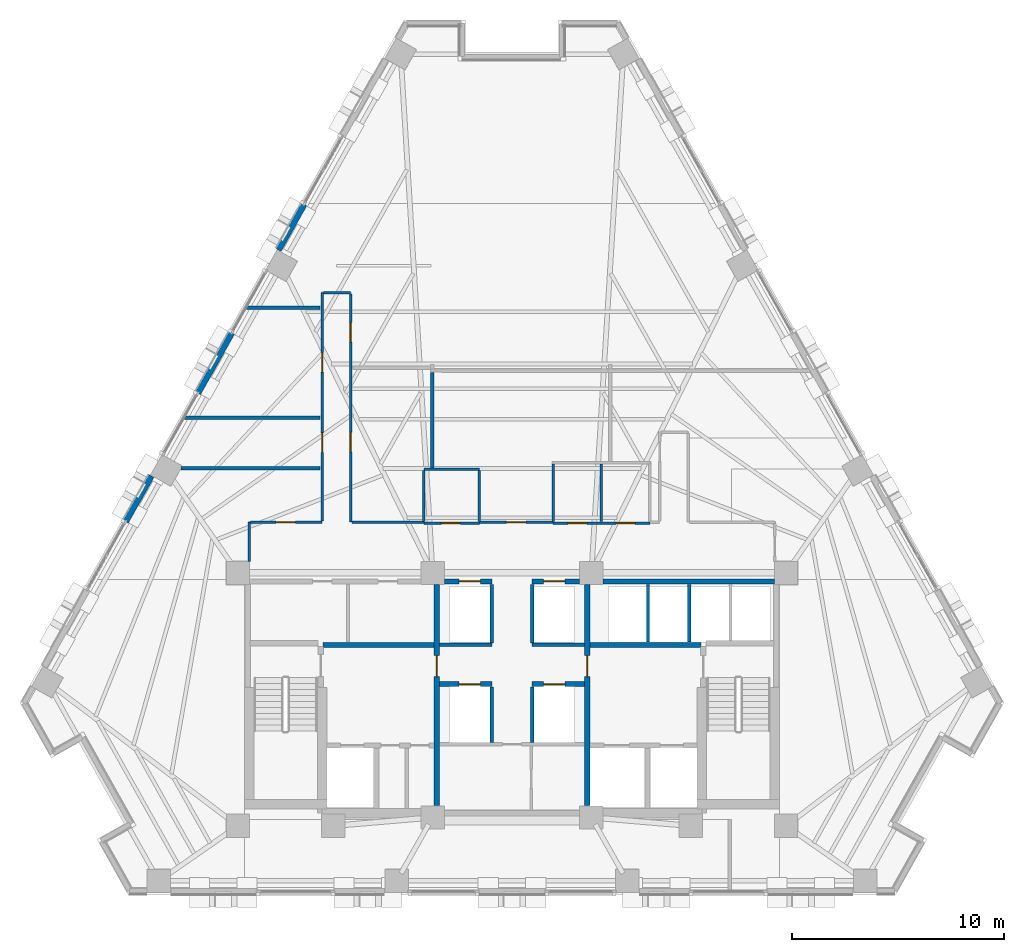
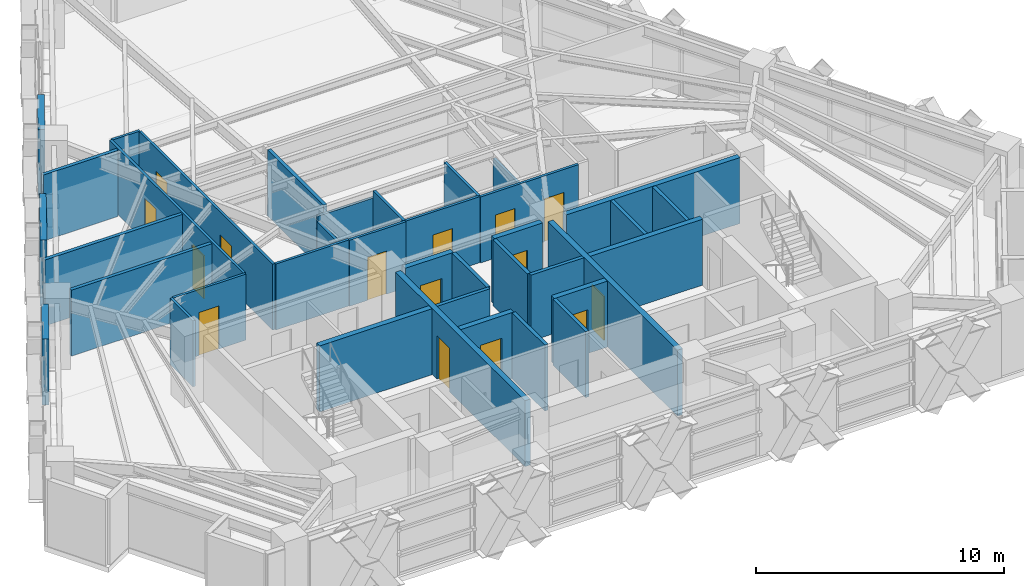
# One storey, part 8 of 14: 38 walls, 15 doors, 15 openings.
"""IFC4 building model written with IfcOpenShell, lengths in metres."""

from ifc_helpers import new_model, si_unit, direction, frame, frame_2d, origin, place, context, subcontext, project, spatial, rectangle, extrude, material, layer, layer_set, type_object, element, fill, save


model = new_model("IFC4")

# Units and contexts
model_context = context("Model", 3, precision=1e-05, world=origin(), true_north=direction((0.0, 1.0)))
body_context = subcontext(model_context, "Body", "Model", "MODEL_VIEW")
ifc_project = project(units=[si_unit("LENGTHUNIT", "METRE"), si_unit("AREAUNIT", "SQUARE_METRE"), si_unit("VOLUMEUNIT", "CUBIC_METRE"), si_unit("PLANEANGLEUNIT", "RADIAN"), si_unit("MASSUNIT", "GRAM", prefix="KILO")], contexts=[model_context])

# Site, building, storey
site_placement = place(None, origin())
site = spatial("IfcSite", under=ifc_project, at=site_placement, CompositionType="ELEMENT")
building_placement = place(site_placement, origin())
building = spatial("IfcBuilding", under=site, at=building_placement, Name="Quenlor Broadcast Tower", CompositionType="ELEMENT")
storey_placement = place(building_placement, frame((0.0, 0.0, 123.0)))
storey = spatial("IfcBuildingStorey", under=building, at=storey_placement, Name="L33", CompositionType="ELEMENT", Elevation=123.0)

# Walls
ifc_material_1 = material(Name="Concrete C40/50", Category="concrete")
ifc_layer_1 = layer(ifc_material_1, 0.25)
ifc_layer_set_1 = layer_set([ifc_layer_1], Name="Fire Rated Concrete C40/50 Core Wall 250")
wall_type_1 = type_object("IfcWallType", Name="Fire Rated Concrete C40/50 Core Wall 250", PredefinedType="PARTITIONING", material=ifc_layer_set_1)
for number, where, z_axis, x_axis, name in (
    (1, (-8.919921875, -8.199951171875, 0.0), (0.0, 0.0, 1.0), (1.0, 0.0, 0.0), "L33 Interior Wall CW-FFW-N"),
    (2, (3.679931640625, -8.199951171875, 0.0), (0.0, 0.0, 1.0), (1.0, 0.0, 0.0), "L33 Interior Wall CW-FFE-N"),
):
    element("IfcWall", number, at=place(storey_placement, frame(where, z_axis=z_axis, x_axis=x_axis)), inside=storey, type_object=wall_type_1, Name=name, PredefinedType="PARTITIONING", context=body_context, shape_type="SweptSolid", body=[
        extrude(rectangle(XDim=5.239990234375, YDim=0.25, at=frame_2d((2.6201171875, 0.0))), origin(), (0.0, 0.0, 1.0), 3.25),
    ])

# Wall, opening, door
wall_1_placement = place(storey_placement, frame((-3.550048828125, -15.798095703125, 0.0), z_axis=(0.0, 0.0, 1.0), x_axis=(0.0, 1.0, 0.0)))
wall_1 = element("IfcWall", 3, at=wall_1_placement, inside=storey, type_object=wall_type_1, Name="L33 Interior Wall CW-FFW-E", PredefinedType="PARTITIONING", context=body_context, shape_type="SweptSolid", body=[
    extrude(rectangle(XDim=10.446044921875, YDim=0.25, at=frame_2d((5.22314453125, 0.0))), origin(), (0.0, 0.0, 1.0), 3.25),
])
opening_1_placement = place(wall_1_placement, frame((6.097900390625, 0.0, 0.0)))
opening_1 = element("IfcOpeningElement", 4, at=opening_1_placement, cuts=wall_1, Name="Opening FD-2", PredefinedType="OPENING", context=body_context, shape_type="SweptSolid", body=[
    extrude(rectangle(XDim=1.0, YDim=2.14990234375, at=frame_2d((0.5, 1.074951171875))), frame((0.0, 0.135009765625, 0.0), z_axis=(0.0, -1.0, 0.0), x_axis=(1.0, 0.0, 0.0)), (0.0, 0.0, 1.0), 0.27001953125),
])
ifc_material_2 = material(Name="Fire Rated Glazed Steel Door", Category="steel")
door_type_1 = type_object("IfcDoorType", Name="Firefighting Lobby Smoke Door 1000x2150", OperationType="NOTDEFINED", PredefinedType="DOOR", material=ifc_material_2)
door_1_placement = place(opening_1_placement, origin())
door_1 = element("IfcDoor", 5, at=door_1_placement, inside=storey, type_object=door_type_1, Name="L33 Door DR-FFLW", OperationType="SINGLE_SWING_RIGHT", OverallHeight=2.14990234375, OverallWidth=1.0, PredefinedType="DOOR", context=body_context, shape_type="SweptSolid", body=[
    extrude(rectangle(XDim=1.0, YDim=2.14990234375, at=frame_2d((0.5, 1.074951171875))), frame((0.0, 0.02490234375, 0.0), z_axis=(0.0, -1.0, 0.0), x_axis=(1.0, 0.0, 0.0)), (0.0, 0.0, 1.0), 0.050048828125),
])
fill(opening_1, door_1)

wall_2_placement = place(storey_placement, frame((3.550048828125, -15.798095703125, 0.0), z_axis=(0.0, 0.0, 1.0), x_axis=(0.0, 1.0, 0.0)))
wall_2 = element("IfcWall", 6, at=wall_2_placement, inside=storey, type_object=wall_type_1, Name="L33 Interior Wall CW-FFE-W", PredefinedType="PARTITIONING", context=body_context, shape_type="SweptSolid", body=[
    extrude(rectangle(XDim=10.446044921875, YDim=0.25, at=frame_2d((5.22314453125, 0.0))), origin(), (0.0, 0.0, 1.0), 3.25),
])
opening_2_placement = place(wall_2_placement, frame((6.097900390625, 0.0, 0.0)))
opening_2 = element("IfcOpeningElement", 7, at=opening_2_placement, cuts=wall_2, Name="Opening FD-2", PredefinedType="OPENING", context=body_context, shape_type="SweptSolid", body=[
    extrude(rectangle(XDim=1.0, YDim=2.14990234375, at=frame_2d((0.5, 1.074951171875))), frame((0.0, 0.135009765625, 0.0), z_axis=(0.0, -1.0, 0.0), x_axis=(1.0, 0.0, 0.0)), (0.0, 0.0, 1.0), 0.27001953125),
])
door_2_placement = place(opening_2_placement, origin())
door_2 = element("IfcDoor", 8, at=door_2_placement, inside=storey, type_object=door_type_1, Name="L33 Door DR-FFLE", OperationType="SINGLE_SWING_LEFT", OverallHeight=2.14990234375, OverallWidth=1.0, PredefinedType="DOOR", context=body_context, shape_type="SweptSolid", body=[
    extrude(rectangle(XDim=1.0, YDim=2.14990234375, at=frame_2d((0.5, 1.074951171875))), frame((0.0, 0.02490234375, 0.0), z_axis=(0.0, -1.0, 0.0), x_axis=(1.0, 0.0, 0.0)), (0.0, 0.0, 1.0), 0.050048828125),
])
fill(opening_2, door_2)

# Wall
wall_3_placement = place(storey_placement, frame((4.302001953125, -5.199951171875, 0.0), z_axis=(0.0, 0.0, 1.0), x_axis=(1.0, 0.0, 0.0)))
element("IfcWall", 9, at=wall_3_placement, inside=storey, type_object=wall_type_1, Name="L33 Interior Wall CW-N-E", PredefinedType="PARTITIONING", context=body_context, shape_type="SweptSolid", body=[
    extrude(rectangle(XDim=8.095947265625, YDim=0.25, at=frame_2d((4.0478515625, 0.0))), origin(), (0.0, 0.0, 1.0), 3.25),
])

# Wall, opening, door
wall_4_placement = place(storey_placement, frame((-3.197998046875, -5.199951171875, 0.0), z_axis=(0.0, 0.0, 1.0), x_axis=(1.0, 0.0, 0.0)))
wall_4 = element("IfcWall", 10, at=wall_4_placement, inside=storey, type_object=wall_type_1, Name="L33 Interior Wall CW-N-M1", PredefinedType="PARTITIONING", context=body_context, shape_type="SweptSolid", body=[
    extrude(rectangle(XDim=2.248046875, YDim=0.25, at=frame_2d((1.1240234375, 0.0))), origin(), (0.0, 0.0, 1.0), 3.25),
])
opening_3_placement = place(wall_4_placement, frame((0.697998046875, 0.0, 0.0)))
opening_3 = element("IfcOpeningElement", 11, at=opening_3_placement, cuts=wall_4, Name="Opening LD-PL-M1", PredefinedType="OPENING", context=body_context, shape_type="SweptSolid", body=[
    extrude(rectangle(XDim=1.0, YDim=2.14990234375, at=frame_2d((0.5, 1.074951171875))), frame((0.0, 0.135009765625, 0.0), z_axis=(0.0, -1.0, 0.0), x_axis=(1.0, 0.0, 0.0)), (0.0, 0.0, 1.0), 0.27001953125),
])
ifc_material_3 = material(Name="Brushed Stainless Steel", Category="steel")
door_type_2 = type_object("IfcDoorType", Name="Passenger Lift Sliding Landing Door 1000x2150", OperationType="NOTDEFINED", PredefinedType="DOOR", material=ifc_material_3)
door_3_placement = place(opening_3_placement, origin())
door_3 = element("IfcDoor", 12, at=door_3_placement, inside=storey, type_object=door_type_2, Name="L33 Door LD-PL-M1", OperationType="SLIDING_TO_LEFT", OverallHeight=2.14990234375, OverallWidth=1.0, PredefinedType="DOOR", context=body_context, shape_type="SweptSolid", body=[
    extrude(rectangle(XDim=1.0, YDim=2.14990234375, at=frame_2d((0.5, 1.074951171875))), frame((0.0, 0.02490234375, 0.0), z_axis=(0.0, -1.0, 0.0), x_axis=(1.0, 0.0, 0.0)), (0.0, 0.0, 1.0), 0.050048828125),
])
fill(opening_3, door_3)

wall_5_placement = place(storey_placement, frame((0.949951171875, -5.199951171875, 0.0), z_axis=(0.0, 0.0, 1.0), x_axis=(1.0, 0.0, 0.0)))
wall_5 = element("IfcWall", 13, at=wall_5_placement, inside=storey, type_object=wall_type_1, Name="L33 Interior Wall CW-N-M2", PredefinedType="PARTITIONING", context=body_context, shape_type="SweptSolid", body=[
    extrude(rectangle(XDim=2.248046875, YDim=0.25, at=frame_2d((1.1240234375, 0.0))), origin(), (0.0, 0.0, 1.0), 3.25),
])
opening_4_placement = place(wall_5_placement, frame((0.550048828125, 0.0, 0.0)))
opening_4 = element("IfcOpeningElement", 14, at=opening_4_placement, cuts=wall_5, Name="Opening LD-PL-M2", PredefinedType="OPENING", context=body_context, shape_type="SweptSolid", body=[
    extrude(rectangle(XDim=1.0, YDim=2.14990234375, at=frame_2d((0.5, 1.074951171875))), frame((0.0, 0.135009765625, 0.0), z_axis=(0.0, -1.0, 0.0), x_axis=(1.0, 0.0, 0.0)), (0.0, 0.0, 1.0), 0.27001953125),
])
door_4_placement = place(opening_4_placement, origin())
door_4 = element("IfcDoor", 15, at=door_4_placement, inside=storey, type_object=door_type_2, Name="L33 Door LD-PL-M2", OperationType="SLIDING_TO_RIGHT", OverallHeight=2.14990234375, OverallWidth=1.0, PredefinedType="DOOR", context=body_context, shape_type="SweptSolid", body=[
    extrude(rectangle(XDim=1.0, YDim=2.14990234375, at=frame_2d((0.5, 1.074951171875))), frame((0.0, 0.02490234375, 0.0), z_axis=(0.0, -1.0, 0.0), x_axis=(1.0, 0.0, 0.0)), (0.0, 0.0, 1.0), 0.050048828125),
])
fill(opening_4, door_4)

wall_6_placement = place(storey_placement, frame((-3.419921875, -10.050048828125, 0.0), z_axis=(0.0, 0.0, 1.0), x_axis=(1.0, 0.0, 0.0)))
wall_6 = element("IfcWall", 16, at=wall_6_placement, inside=storey, type_object=wall_type_1, Name="L33 Interior Wall CW-MS-N1", PredefinedType="PARTITIONING", context=body_context, shape_type="SweptSolid", body=[
    extrude(rectangle(XDim=2.469970703125, YDim=0.25, at=frame_2d((1.23486328125, 0.0))), origin(), (0.0, 0.0, 1.0), 3.25),
])
opening_5_placement = place(wall_6_placement, frame((0.919921875, 0.0, 0.0)))
opening_5 = element("IfcOpeningElement", 17, at=opening_5_placement, cuts=wall_6, Name="Opening LD-PL-M3", PredefinedType="OPENING", context=body_context, shape_type="SweptSolid", body=[
    extrude(rectangle(XDim=1.0, YDim=2.14990234375, at=frame_2d((0.5, 1.074951171875))), frame((0.0, 0.135009765625, 0.0), z_axis=(0.0, -1.0, 0.0), x_axis=(1.0, 0.0, 0.0)), (0.0, 0.0, 1.0), 0.27001953125),
])
door_5_placement = place(opening_5_placement, origin())
door_5 = element("IfcDoor", 18, at=door_5_placement, inside=storey, type_object=door_type_2, Name="L33 Door LD-PL-M3", OperationType="SLIDING_TO_LEFT", OverallHeight=2.14990234375, OverallWidth=1.0, PredefinedType="DOOR", context=body_context, shape_type="SweptSolid", body=[
    extrude(rectangle(XDim=1.0, YDim=2.14990234375, at=frame_2d((0.5, 1.074951171875))), frame((0.0, 0.02490234375, 0.0), z_axis=(0.0, -1.0, 0.0), x_axis=(1.0, 0.0, 0.0)), (0.0, 0.0, 1.0), 0.050048828125),
])
fill(opening_5, door_5)

wall_7_placement = place(storey_placement, frame((0.949951171875, -10.050048828125, 0.0), z_axis=(0.0, 0.0, 1.0), x_axis=(1.0, 0.0, 0.0)))
wall_7 = element("IfcWall", 19, at=wall_7_placement, inside=storey, type_object=wall_type_1, Name="L33 Interior Wall CW-MS-N2", PredefinedType="PARTITIONING", context=body_context, shape_type="SweptSolid", body=[
    extrude(rectangle(XDim=2.469970703125, YDim=0.25, at=frame_2d((1.23486328125, 0.0))), origin(), (0.0, 0.0, 1.0), 3.25),
])
opening_6_placement = place(wall_7_placement, frame((0.550048828125, 0.0, 0.0)))
opening_6 = element("IfcOpeningElement", 20, at=opening_6_placement, cuts=wall_7, Name="Opening LD-PL-M4", PredefinedType="OPENING", context=body_context, shape_type="SweptSolid", body=[
    extrude(rectangle(XDim=1.0, YDim=2.14990234375, at=frame_2d((0.5, 1.074951171875))), frame((0.0, 0.135009765625, 0.0), z_axis=(0.0, -1.0, 0.0), x_axis=(1.0, 0.0, 0.0)), (0.0, 0.0, 1.0), 0.27001953125),
])
door_6_placement = place(opening_6_placement, origin())
door_6 = element("IfcDoor", 21, at=door_6_placement, inside=storey, type_object=door_type_2, Name="L33 Door LD-PL-M4", OperationType="SLIDING_TO_RIGHT", OverallHeight=2.14990234375, OverallWidth=1.0, PredefinedType="DOOR", context=body_context, shape_type="SweptSolid", body=[
    extrude(rectangle(XDim=1.0, YDim=2.14990234375, at=frame_2d((0.5, 1.074951171875))), frame((0.0, 0.02490234375, 0.0), z_axis=(0.0, -1.0, 0.0), x_axis=(1.0, 0.0, 0.0)), (0.0, 0.0, 1.0), 0.050048828125),
])
fill(opening_6, door_6)

# Walls
ifc_material_4 = material(Name="Gypsum Fireboard Partition", Category="other")
ifc_layer_2 = layer(ifc_material_4, 0.159912109375)
ifc_layer_set_2 = layer_set([ifc_layer_2], Name="Fire Rated Shaft and Corridor Partition 160")
wall_type_2 = type_object("IfcWallType", Name="Fire Rated Shaft and Corridor Partition 160", PredefinedType="PARTITIONING", material=ifc_layer_set_2)
for number, where, z_axis, x_axis, name in (
    (22, (6.425048828125, -8.072998046875, 0.0), (0.0, 0.0, 1.0), (0.0, 1.0, 0.0), "L33 Interior Wall CW-PLH-D1"),
    (23, (8.375, -8.072998046875, 0.0), (0.0, 0.0, 1.0), (0.0, 1.0, 0.0), "L33 Interior Wall CW-PLH-D2"),
):
    element("IfcWall", number, at=place(storey_placement, frame(where, z_axis=z_axis, x_axis=x_axis)), inside=storey, type_object=wall_type_2, Name=name, PredefinedType="PARTITIONING", context=body_context, shape_type="SweptSolid", body=[
        extrude(rectangle(XDim=2.73291015625, YDim=0.159912109375, at=frame_2d((1.366455078125, 0.0))), origin(), (0.0, 0.0, 1.0), 3.25),
    ])
for number, where, z_axis, x_axis, name in (
    (24, (-0.949951171875, -8.1201171875, 0.0), (0.0, 0.0, 1.0), (0.0, 1.0, 0.0), "L33 Interior Wall CW-CCRP-W"),
    (25, (0.949951171875, -8.1201171875, 0.0), (0.0, 0.0, 1.0), (0.0, 1.0, 0.0), "L33 Interior Wall CW-CCRP-E"),
):
    element("IfcWall", number, at=place(storey_placement, frame(where, z_axis=z_axis, x_axis=x_axis)), inside=storey, type_object=wall_type_2, Name=name, PredefinedType="PARTITIONING", context=body_context, shape_type="SweptSolid", body=[
        extrude(rectangle(XDim=2.780029296875, YDim=0.159912109375, at=frame_2d((1.39013671875, 0.0))), origin(), (0.0, 0.0, 1.0), 3.25),
    ])
for number, where, z_axis, x_axis, name in (
    (26, (-3.419921875, -8.199951171875, 0.0), (0.0, 0.0, 1.0), (1.0, 0.0, 0.0), "L33 Interior Wall CW-M-BACK1"),
    (27, (0.949951171875, -8.199951171875, 0.0), (0.0, 0.0, 1.0), (1.0, 0.0, 0.0), "L33 Interior Wall CW-M-BACK2"),
):
    element("IfcWall", number, at=place(storey_placement, frame(where, z_axis=z_axis, x_axis=x_axis)), inside=storey, type_object=wall_type_2, Name=name, PredefinedType="PARTITIONING", context=body_context, shape_type="SweptSolid", body=[
        extrude(rectangle(XDim=2.469970703125, YDim=0.159912109375, at=frame_2d((1.23486328125, 0.0))), origin(), (0.0, 0.0, 1.0), 3.25),
    ])
for number, where, z_axis, x_axis, name in (
    (28, (-0.949951171875, -12.818115234375, 0.0), (0.0, 0.0, 1.0), (0.0, 1.0, 0.0), "L33 Interior Wall CW-MS-W"),
    (29, (0.949951171875, -12.818115234375, 0.0), (0.0, 0.0, 1.0), (0.0, 1.0, 0.0), "L33 Interior Wall CW-MS-E"),
):
    element("IfcWall", number, at=place(storey_placement, frame(where, z_axis=z_axis, x_axis=x_axis)), inside=storey, type_object=wall_type_2, Name=name, PredefinedType="PARTITIONING", context=body_context, shape_type="SweptSolid", body=[
        extrude(rectangle(XDim=2.63818359375, YDim=0.159912109375, at=frame_2d((1.319091796875, 0.0))), origin(), (0.0, 0.0, 1.0), 3.25),
    ])
wall_8_placement = place(storey_placement, frame((-9.080078125, 7.72998046875, 0.0), z_axis=(0.0, 0.0, 1.0), x_axis=(-1.0, 0.0, 0.0)))
element("IfcWall", 30, at=wall_8_placement, inside=storey, type_object=wall_type_2, Name="L33 Interior Wall PW-DV-01", PredefinedType="PARTITIONING", context=body_context, shape_type="SweptSolid", body=[
    extrude(rectangle(XDim=3.476806640625, YDim=0.159912109375, at=frame_2d((1.73828125, 0.0))), origin(), (0.0, 0.0, 1.0), 3.25),
])
wall_9_placement = place(storey_placement, frame((-9.080078125, 2.530029296875, 0.0), z_axis=(0.0, 0.0, 1.0), x_axis=(-1.0, 0.0, 0.0)))
element("IfcWall", 31, at=wall_9_placement, inside=storey, type_object=wall_type_2, Name="L33 Interior Wall PW-DV-05", PredefinedType="PARTITIONING", context=body_context, shape_type="SweptSolid", body=[
    extrude(rectangle(XDim=6.401611328125, YDim=0.159912109375, at=frame_2d((3.20068359375, 0.0))), origin(), (0.0, 0.0, 1.0), 3.25),
])
wall_10_placement = place(storey_placement, frame((-3.760009765625, 0.169921875, 0.0), z_axis=(0.0, 0.0, 1.0), x_axis=(0.0, 1.0, 0.0)))
element("IfcWall", 32, at=wall_10_placement, inside=storey, type_object=wall_type_2, Name="L33 Interior Wall PW-DV-07", PredefinedType="PARTITIONING", context=body_context, shape_type="SweptSolid", body=[
    extrude(rectangle(XDim=4.5126953125, YDim=0.159912109375, at=frame_2d((2.25634765625, 0.0))), origin(), (0.0, 0.0, 1.0), 3.25),
])
wall_11_placement = place(storey_placement, frame((-9.080078125, 0.15478515625, 0.0), z_axis=(0.0, 0.0, 1.0), x_axis=(-1.0, 0.0, 0.0)))
element("IfcWall", 33, at=wall_11_placement, inside=storey, type_object=wall_type_2, Name="L33 Interior Wall PW-DV-08", PredefinedType="PARTITIONING", context=body_context, shape_type="SweptSolid", body=[
    extrude(rectangle(XDim=6.5537109375, YDim=0.159912109375, at=frame_2d((3.27685546875, 0.0))), origin(), (0.0, 0.0, 1.0), 3.25),
])

# Wall, opening, door
ifc_material_5 = material(Name="Gypsum Plasterboard Partition", Category="other")
ifc_layer_3 = layer(ifc_material_5, 0.1201171875)
ifc_layer_set_3 = layer_set([ifc_layer_3], Name="Standard Office Partition 120")
wall_type_3 = type_object("IfcWallType", Name="Standard Office Partition 120", PredefinedType="PARTITIONING", material=ifc_layer_set_3)
wall_12_placement = place(storey_placement, frame((-4.159912109375, -2.43994140625, 0.0), z_axis=(0.0, 0.0, 1.0), x_axis=(1.0, 0.0, 0.0)))
wall_12 = element("IfcWall", 34, at=wall_12_placement, inside=storey, type_object=wall_type_3, Name="L33 Interior Wall PW-AWC-S", PredefinedType="PARTITIONING", context=body_context, shape_type="SweptSolid", body=[
    extrude(rectangle(XDim=2.619873046875, YDim=0.1201171875, at=frame_2d((1.31005859375, 0.0))), origin(), (0.0, 0.0, 1.0), 3.25),
])
opening_7_placement = place(wall_12_placement, frame((0.820068359375, 0.0, 0.0)))
opening_7 = element("IfcOpeningElement", 35, at=opening_7_placement, cuts=wall_12, Name="Opening ID-3", PredefinedType="OPENING", context=body_context, shape_type="SweptSolid", body=[
    extrude(rectangle(XDim=0.89990234375, YDim=2.1201171875, at=frame_2d((0.449951171875, 1.06005859375))), frame((0.0, 0.070068359375, 0.0), z_axis=(0.0, -1.0, 0.0), x_axis=(1.0, 0.0, 0.0)), (0.0, 0.0, 1.0), 0.14013671875),
])
ifc_material_6 = material(Name="Moisture Resistant Timber Oak", Category="wood")
door_type_3 = type_object("IfcDoorType", Name="Washroom Privacy Door 900x2120", OperationType="NOTDEFINED", PredefinedType="DOOR", material=ifc_material_6)
door_7_placement = place(opening_7_placement, origin())
door_7 = element("IfcDoor", 36, at=door_7_placement, inside=storey, type_object=door_type_3, Name="L33 Door DR-AWC", OperationType="SINGLE_SWING_LEFT", OverallHeight=2.1201171875, OverallWidth=0.89990234375, PredefinedType="DOOR", context=body_context, shape_type="SweptSolid", body=[
    extrude(rectangle(XDim=0.89990234375, YDim=2.1201171875, at=frame_2d((0.449951171875, 1.06005859375))), frame((0.0, 0.02490234375, 0.0), z_axis=(0.0, -1.0, 0.0), x_axis=(1.0, 0.0, 0.0)), (0.0, 0.0, 1.0), 0.050048828125),
])
fill(opening_7, door_7)

# Walls
wall_13_placement = place(storey_placement, frame((-4.159912109375, 0.110107421875, 0.0), z_axis=(0.0, 0.0, 1.0), x_axis=(1.0, 0.0, 0.0)))
element("IfcWall", 37, at=wall_13_placement, inside=storey, type_object=wall_type_3, Name="L33 Interior Wall PW-AWC-N", PredefinedType="PARTITIONING", context=body_context, shape_type="SweptSolid", body=[
    extrude(rectangle(XDim=2.619873046875, YDim=0.1201171875, at=frame_2d((1.31005859375, 0.0))), origin(), (0.0, 0.0, 1.0), 2.891357421875),
])
wall_14_placement = place(storey_placement, frame((-4.159912109375, -2.3779296875, 0.0), z_axis=(0.0, 0.0, 1.0), x_axis=(0.0, 1.0, 0.0)))
element("IfcWall", 38, at=wall_14_placement, inside=storey, type_object=wall_type_3, Name="L33 Interior Wall PW-AWC-W", PredefinedType="PARTITIONING", context=body_context, shape_type="SweptSolid", body=[
    extrude(rectangle(XDim=2.426025390625, YDim=0.1201171875, at=frame_2d((1.212890625, 0.0))), origin(), (0.0, 0.0, 1.0), 2.64794921875),
])
wall_15_placement = place(storey_placement, frame((-1.5400390625, -2.3779296875, 0.0), z_axis=(0.0, 0.0, 1.0), x_axis=(0.0, 1.0, 0.0)))
element("IfcWall", 39, at=wall_15_placement, inside=storey, type_object=wall_type_3, Name="L33 Interior Wall PW-AWC-E", PredefinedType="PARTITIONING", context=body_context, shape_type="SweptSolid", body=[
    extrude(rectangle(XDim=2.426025390625, YDim=0.1201171875, at=frame_2d((1.212890625, 0.0))), origin(), (0.0, 0.0, 1.0), 3.25),
])

# Wall, openings, doors
wall_16_placement = place(storey_placement, frame((1.93994140625, -2.43994140625, 0.0), z_axis=(0.0, 0.0, 1.0), x_axis=(1.0, 0.0, 0.0)))
wall_16 = element("IfcWall", 40, at=wall_16_placement, inside=storey, type_object=wall_type_3, Name="L33 Interior Wall PW-WC-S", PredefinedType="PARTITIONING", context=body_context, shape_type="SweptSolid", body=[
    extrude(rectangle(XDim=4.570068359375, YDim=0.1201171875, at=frame_2d((2.28515625, 0.0))), origin(), (0.0, 0.0, 1.0), 3.25),
])
opening_8_placement = place(wall_16_placement, frame((0.699951171875, 0.0, 0.0)))
opening_8 = element("IfcOpeningElement", 41, at=opening_8_placement, cuts=wall_16, Name="Opening ID-3", PredefinedType="OPENING", context=body_context, shape_type="SweptSolid", body=[
    extrude(rectangle(XDim=0.89990234375, YDim=2.1201171875, at=frame_2d((0.449951171875, 1.06005859375))), frame((0.0, 0.070068359375, 0.0), z_axis=(0.0, -1.0, 0.0), x_axis=(1.0, 0.0, 0.0)), (0.0, 0.0, 1.0), 0.14013671875),
])
opening_9_placement = place(wall_16_placement, frame((2.97998046875, 0.0, 0.0)))
opening_9 = element("IfcOpeningElement", 42, at=opening_9_placement, cuts=wall_16, Name="Opening ID-3", PredefinedType="OPENING", context=body_context, shape_type="SweptSolid", body=[
    extrude(rectangle(XDim=0.89990234375, YDim=2.1201171875, at=frame_2d((0.449951171875, 1.06005859375))), frame((0.0, 0.070068359375, 0.0), z_axis=(0.0, -1.0, 0.0), x_axis=(1.0, 0.0, 0.0)), (0.0, 0.0, 1.0), 0.14013671875),
])
door_8_placement = place(opening_8_placement, origin())
door_8 = element("IfcDoor", 43, at=door_8_placement, inside=storey, type_object=door_type_3, Name="L33 Door DR-MWC", OperationType="SINGLE_SWING_LEFT", OverallHeight=2.1201171875, OverallWidth=0.89990234375, PredefinedType="DOOR", context=body_context, shape_type="SweptSolid", body=[
    extrude(rectangle(XDim=0.89990234375, YDim=2.1201171875, at=frame_2d((0.449951171875, 1.06005859375))), frame((0.0, 0.02490234375, 0.0), z_axis=(0.0, -1.0, 0.0), x_axis=(1.0, 0.0, 0.0)), (0.0, 0.0, 1.0), 0.050048828125),
])
fill(opening_8, door_8)
door_9_placement = place(opening_9_placement, origin())
door_9 = element("IfcDoor", 44, at=door_9_placement, inside=storey, type_object=door_type_3, Name="L33 Door DR-FWC", OperationType="SINGLE_SWING_RIGHT", OverallHeight=2.1201171875, OverallWidth=0.89990234375, PredefinedType="DOOR", context=body_context, shape_type="SweptSolid", body=[
    extrude(rectangle(XDim=0.89990234375, YDim=2.1201171875, at=frame_2d((0.449951171875, 1.06005859375))), frame((0.0, 0.02490234375, 0.0), z_axis=(0.0, -1.0, 0.0), x_axis=(1.0, 0.0, 0.0)), (0.0, 0.0, 1.0), 0.050048828125),
])
fill(opening_9, door_9)

# Walls
wall_17_placement = place(storey_placement, frame((1.93994140625, -2.3779296875, 0.0), z_axis=(0.0, 0.0, 1.0), x_axis=(0.0, 1.0, 0.0)))
element("IfcWall", 45, at=wall_17_placement, inside=storey, type_object=wall_type_3, Name="L33 Interior Wall PW-WC-W", PredefinedType="PARTITIONING", context=body_context, shape_type="SweptSolid", body=[
    extrude(rectangle(XDim=2.725830078125, YDim=0.1201171875, at=frame_2d((1.36279296875, 0.0))), origin(), (0.0, 0.0, 1.0), 3.25),
])
wall_18_placement = place(storey_placement, frame((4.219970703125, -2.3779296875, 0.0), z_axis=(0.0, 0.0, 1.0), x_axis=(0.0, 1.0, 0.0)))
element("IfcWall", 46, at=wall_18_placement, inside=storey, type_object=wall_type_3, Name="L33 Interior Wall PW-WC-M", PredefinedType="PARTITIONING", context=body_context, shape_type="SweptSolid", body=[
    extrude(rectangle(XDim=2.725830078125, YDim=0.1201171875, at=frame_2d((1.36279296875, 0.0))), origin(), (0.0, 0.0, 1.0), 2.64794921875),
])
wall_19_placement = place(storey_placement, frame((-12.409912109375, -4.248046875, 0.0), z_axis=(0.0, 0.0, 1.0), x_axis=(0.0, 1.0, 0.0)))
element("IfcWall", 47, at=wall_19_placement, inside=storey, type_object=wall_type_3, Name="L33 Interior Wall PW-CR-01", PredefinedType="PARTITIONING", context=body_context, shape_type="SweptSolid", body=[
    extrude(rectangle(XDim=1.84814453125, YDim=0.1201171875, at=frame_2d((0.924072265625, 0.0))), origin(), (0.0, 0.0, 1.0), 3.25),
])

# Wall, opening, door
wall_20_placement = place(storey_placement, frame((-12.347900390625, -2.39990234375, 0.0), z_axis=(0.0, 0.0, 1.0), x_axis=(1.0, 0.0, 0.0)))
wall_20 = element("IfcWall", 48, at=wall_20_placement, inside=storey, type_object=wall_type_3, Name="L33 Interior Wall PW-CR-02", PredefinedType="PARTITIONING", context=body_context, shape_type="SweptSolid", body=[
    extrude(rectangle(XDim=3.3779296875, YDim=0.1201171875, at=frame_2d((1.68896484375, 0.0))), origin(), (0.0, 0.0, 1.0), 3.25),
])
opening_10_placement = place(wall_20_placement, frame((1.197998046875, 0.0, 0.0)))
opening_10 = element("IfcOpeningElement", 49, at=opening_10_placement, cuts=wall_20, Name="Opening ID-1", PredefinedType="OPENING", context=body_context, shape_type="SweptSolid", body=[
    extrude(rectangle(XDim=0.919921875, YDim=2.1201171875, at=frame_2d((0.4599609375, 1.06005859375))), frame((0.0, 0.070068359375, 0.0), z_axis=(0.0, -1.0, 0.0), x_axis=(1.0, 0.0, 0.0)), (0.0, 0.0, 1.0), 0.14013671875),
])
ifc_material_7 = material(Name="Solid Core Timber Oak", Category="wood")
door_type_4 = type_object("IfcDoorType", Name="Single Leaf Timber Office Door 920x2120", OperationType="NOTDEFINED", PredefinedType="DOOR", material=ifc_material_7)
door_10_placement = place(opening_10_placement, origin())
door_10 = element("IfcDoor", 50, at=door_10_placement, inside=storey, type_object=door_type_4, Name="L33 Door DR-RM08", OperationType="SINGLE_SWING_RIGHT", OverallHeight=2.1201171875, OverallWidth=0.919921875, PredefinedType="DOOR", context=body_context, shape_type="SweptSolid", body=[
    extrude(rectangle(XDim=0.919921875, YDim=2.1201171875, at=frame_2d((0.4599609375, 1.06005859375))), frame((0.0, 0.02490234375, 0.0), z_axis=(0.0, -1.0, 0.0), x_axis=(1.0, 0.0, 0.0)), (0.0, 0.0, 1.0), 0.050048828125),
])
fill(opening_10, door_10)

# Wall, openings, doors
wall_21_placement = place(storey_placement, frame((-8.969970703125, -2.337890625, 0.0), z_axis=(0.0, 0.0, 1.0), x_axis=(0.0, 1.0, 0.0)))
wall_21 = element("IfcWall", 51, at=wall_21_placement, inside=storey, type_object=wall_type_3, Name="L33 Interior Wall PW-CR-03", PredefinedType="PARTITIONING", context=body_context, shape_type="SweptSolid", body=[
    extrude(rectangle(XDim=10.787841796875, YDim=0.1201171875, at=frame_2d((5.39404296875, 0.0))), origin(), (0.0, 0.0, 1.0), 3.25),
])
opening_11_placement = place(wall_21_placement, frame((7.028076171875, 0.0, 0.0)))
opening_11 = element("IfcOpeningElement", 52, at=opening_11_placement, cuts=wall_21, Name="Opening ID-1", PredefinedType="OPENING", context=body_context, shape_type="SweptSolid", body=[
    extrude(rectangle(XDim=0.919921875, YDim=2.1201171875, at=frame_2d((0.4599609375, 1.06005859375))), frame((0.0, 0.070068359375, 0.0), z_axis=(0.0, -1.0, 0.0), x_axis=(1.0, 0.0, 0.0)), (0.0, 0.0, 1.0), 0.14013671875),
])
opening_12_placement = place(wall_21_placement, frame((3.239990234375, 0.0, 0.0)))
opening_12 = element("IfcOpeningElement", 53, at=opening_12_placement, cuts=wall_21, Name="Opening ID-1", PredefinedType="OPENING", context=body_context, shape_type="SweptSolid", body=[
    extrude(rectangle(XDim=0.919921875, YDim=2.1201171875, at=frame_2d((0.4599609375, 1.06005859375))), frame((0.0, 0.070068359375, 0.0), z_axis=(0.0, -1.0, 0.0), x_axis=(1.0, 0.0, 0.0)), (0.0, 0.0, 1.0), 0.14013671875),
])
door_11_placement = place(opening_11_placement, origin())
door_11 = element("IfcDoor", 54, at=door_11_placement, inside=storey, type_object=door_type_4, Name="L33 Door DR-RM02", OperationType="SINGLE_SWING_RIGHT", OverallHeight=2.1201171875, OverallWidth=0.919921875, PredefinedType="DOOR", context=body_context, shape_type="SweptSolid", body=[
    extrude(rectangle(XDim=0.919921875, YDim=2.1201171875, at=frame_2d((0.4599609375, 1.06005859375))), frame((0.0, 0.02490234375, 0.0), z_axis=(0.0, -1.0, 0.0), x_axis=(1.0, 0.0, 0.0)), (0.0, 0.0, 1.0), 0.050048828125),
])
fill(opening_11, door_11)
door_12_placement = place(opening_12_placement, origin())
door_12 = element("IfcDoor", 55, at=door_12_placement, inside=storey, type_object=door_type_4, Name="L33 Door DR-RM05", OperationType="SINGLE_SWING_LEFT", OverallHeight=2.1201171875, OverallWidth=0.919921875, PredefinedType="DOOR", context=body_context, shape_type="SweptSolid", body=[
    extrude(rectangle(XDim=0.919921875, YDim=2.1201171875, at=frame_2d((0.4599609375, 1.06005859375))), frame((0.0, 0.02490234375, 0.0), z_axis=(0.0, -1.0, 0.0), x_axis=(1.0, 0.0, 0.0)), (0.0, 0.0, 1.0), 0.050048828125),
])
fill(opening_12, door_12)

# Wall
wall_22_placement = place(storey_placement, frame((-8.907958984375, 8.449951171875, 0.0), z_axis=(0.0, 0.0, 1.0), x_axis=(1.0, 0.0, 0.0)))
element("IfcWall", 56, at=wall_22_placement, inside=storey, type_object=wall_type_3, Name="L33 Interior Wall PW-CR-04", PredefinedType="PARTITIONING", context=body_context, shape_type="SweptSolid", body=[
    extrude(rectangle(XDim=1.278076171875, YDim=0.1201171875, at=frame_2d((0.63916015625, 0.0))), origin(), (0.0, 0.0, 1.0), 3.25),
])

# Wall, openings, doors
wall_23_placement = place(storey_placement, frame((-7.6298828125, 8.387939453125, 0.0), z_axis=(0.0, 0.0, 1.0), x_axis=(0.0, -1.0, 0.0)))
wall_23 = element("IfcWall", 57, at=wall_23_placement, inside=storey, type_object=wall_type_3, Name="L33 Interior Wall PW-CR-05", PredefinedType="PARTITIONING", context=body_context, shape_type="SweptSolid", body=[
    extrude(rectangle(XDim=10.787841796875, YDim=0.1201171875, at=frame_2d((5.39404296875, 0.0))), origin(), (0.0, 0.0, 1.0), 3.25),
])
opening_13_placement = place(wall_23_placement, frame((1.362060546875, 0.0, 0.0)))
opening_13 = element("IfcOpeningElement", 58, at=opening_13_placement, cuts=wall_23, Name="Opening ID-1", PredefinedType="OPENING", context=body_context, shape_type="SweptSolid", body=[
    extrude(rectangle(XDim=0.919921875, YDim=2.1201171875, at=frame_2d((0.4599609375, 1.06005859375))), frame((0.0, 0.070068359375, 0.0), z_axis=(0.0, -1.0, 0.0), x_axis=(1.0, 0.0, 0.0)), (0.0, 0.0, 1.0), 0.14013671875),
])
opening_14_placement = place(wall_23_placement, frame((6.549072265625, 0.0, 0.0)))
opening_14 = element("IfcOpeningElement", 59, at=opening_14_placement, cuts=wall_23, Name="Opening ID-1", PredefinedType="OPENING", context=body_context, shape_type="SweptSolid", body=[
    extrude(rectangle(XDim=0.919921875, YDim=2.1201171875, at=frame_2d((0.4599609375, 1.06005859375))), frame((0.0, 0.070068359375, 0.0), z_axis=(0.0, -1.0, 0.0), x_axis=(1.0, 0.0, 0.0)), (0.0, 0.0, 1.0), 0.14013671875),
])
door_13_placement = place(opening_13_placement, origin())
door_13 = element("IfcDoor", 60, at=door_13_placement, inside=storey, type_object=door_type_4, Name="L33 Door DR-RM01", OperationType="SINGLE_SWING_LEFT", OverallHeight=2.1201171875, OverallWidth=0.919921875, PredefinedType="DOOR", context=body_context, shape_type="SweptSolid", body=[
    extrude(rectangle(XDim=0.919921875, YDim=2.1201171875, at=frame_2d((0.4599609375, 1.06005859375))), frame((0.0, 0.02490234375, 0.0), z_axis=(0.0, -1.0, 0.0), x_axis=(1.0, 0.0, 0.0)), (0.0, 0.0, 1.0), 0.050048828125),
])
fill(opening_13, door_13)
door_14_placement = place(opening_14_placement, origin())
door_14 = element("IfcDoor", 61, at=door_14_placement, inside=storey, type_object=door_type_4, Name="L33 Door DR-RM06", OperationType="SINGLE_SWING_RIGHT", OverallHeight=2.1201171875, OverallWidth=0.919921875, PredefinedType="DOOR", context=body_context, shape_type="SweptSolid", body=[
    extrude(rectangle(XDim=0.919921875, YDim=2.1201171875, at=frame_2d((0.4599609375, 1.06005859375))), frame((0.0, 0.02490234375, 0.0), z_axis=(0.0, -1.0, 0.0), x_axis=(1.0, 0.0, 0.0)), (0.0, 0.0, 1.0), 0.050048828125),
])
fill(opening_14, door_14)

# Wall
wall_24_placement = place(storey_placement, frame((-7.568115234375, -2.39990234375, 0.0), z_axis=(0.0, 0.0, 1.0), x_axis=(1.0, 0.0, 0.0)))
element("IfcWall", 62, at=wall_24_placement, inside=storey, type_object=wall_type_3, Name="L33 Interior Wall PW-CR-06", PredefinedType="PARTITIONING", context=body_context, shape_type="SweptSolid", body=[
    extrude(rectangle(XDim=3.406005859375, YDim=0.1201171875, at=frame_2d((1.703125, 0.0))), origin(), (0.0, 0.0, 1.0), 3.25),
])

# Wall, opening, door
wall_25_placement = place(storey_placement, frame((-1.5380859375, -2.39990234375, 0.0), z_axis=(0.0, 0.0, 1.0), x_axis=(1.0, 0.0, 0.0)))
wall_25 = element("IfcWall", 63, at=wall_25_placement, inside=storey, type_object=wall_type_3, Name="L33 Interior Wall PW-CR-06S2", PredefinedType="PARTITIONING", context=body_context, shape_type="SweptSolid", body=[
    extrude(rectangle(XDim=3.47607421875, YDim=0.1201171875, at=frame_2d((1.738037109375, 0.0))), origin(), (0.0, 0.0, 1.0), 3.25),
])
opening_15_placement = place(wall_25_placement, frame((1.278076171875, 0.0, 0.0)))
opening_15 = element("IfcOpeningElement", 64, at=opening_15_placement, cuts=wall_25, Name="Opening ID-1", PredefinedType="OPENING", context=body_context, shape_type="SweptSolid", body=[
    extrude(rectangle(XDim=0.919921875, YDim=2.1201171875, at=frame_2d((0.4599609375, 1.06005859375))), frame((0.0, 0.070068359375, 0.0), z_axis=(0.0, -1.0, 0.0), x_axis=(1.0, 0.0, 0.0)), (0.0, 0.0, 1.0), 0.14013671875),
])
door_15_placement = place(opening_15_placement, origin())
door_15 = element("IfcDoor", 65, at=door_15_placement, inside=storey, type_object=door_type_4, Name="L33 Door DR-RM04", OperationType="SINGLE_SWING_RIGHT", OverallHeight=2.1201171875, OverallWidth=0.919921875, PredefinedType="DOOR", context=body_context, shape_type="SweptSolid", body=[
    extrude(rectangle(XDim=0.919921875, YDim=2.1201171875, at=frame_2d((0.4599609375, 1.06005859375))), frame((0.0, 0.02490234375, 0.0), z_axis=(0.0, -1.0, 0.0), x_axis=(1.0, 0.0, 0.0)), (0.0, 0.0, 1.0), 0.050048828125),
])
fill(opening_15, door_15)

# Walls
ifc_material_8 = material(Name="Precast concrete C40/50", Category="concrete")
ifc_layer_4 = layer(ifc_material_8, 0.280029296875)
ifc_layer_set_4 = layer_set([ifc_layer_4], Name="Terracotta Precast Concrete C40/50 Facade Wall 280")
wall_type_4 = type_object("IfcWallType", Name="Terracotta Precast Concrete C40/50 Facade Wall 280", PredefinedType="STANDARD", material=ifc_layer_set_4)
for number, where, z_axis, x_axis, name in (
    (66, (-18.251708984375, -2.374267578125, 0.0), (0.0, 0.0, 1.0), (0.490186269625, 0.871617703509, 0.0), "L33 Exterior Wall L33-NWA-SP2"),
    (67, (-11.031982421875, 10.461181640625, 0.0), (0.0, 0.0, 1.0), (0.490303410255, 0.871551814807, 0.0), "L33 Exterior Wall L33-NWC-SP1"),
):
    element("IfcWall", number, at=place(storey_placement, frame(where, z_axis=z_axis, x_axis=x_axis)), inside=storey, type_object=wall_type_4, Name=name, PredefinedType="STANDARD", context=body_context, shape_type="SweptSolid", body=[
        extrude(rectangle(XDim=2.473876953125, YDim=0.280029296875, at=frame_2d((1.23681640625, 0.0))), origin(), (0.0, 0.0, 1.0), 3.25),
    ])
wall_26_placement = place(storey_placement, frame((-14.8388671875, 3.693603515625, 0.0), z_axis=(0.0, 0.0, 1.0), x_axis=(0.490310760781, 0.871547679626, 0.0)))
element("IfcWall", 68, at=wall_26_placement, inside=storey, type_object=wall_type_4, Name="L33 Exterior Wall L33-NW-SP1", PredefinedType="STANDARD", context=body_context, shape_type="SweptSolid", body=[
    extrude(rectangle(XDim=3.27685546875, YDim=0.280029296875, at=frame_2d((1.638427734375, 0.0))), origin(), (0.0, 0.0, 1.0), 3.25),
])

save(model, "model.ifc")
